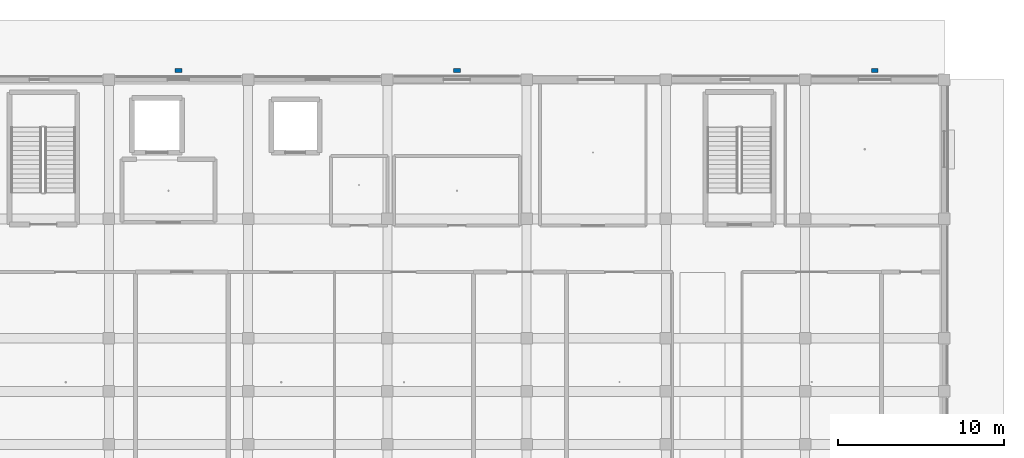
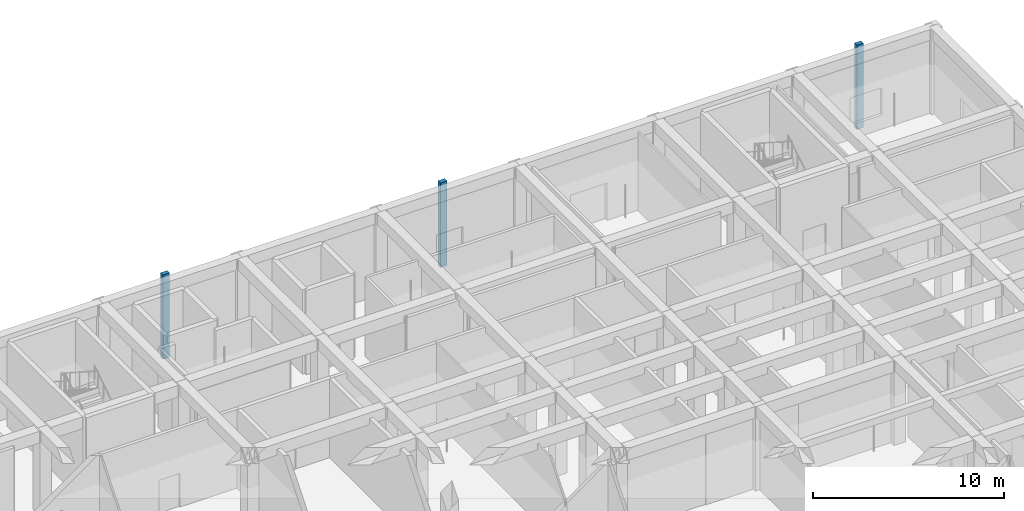
# One storey, part 8 of 167: 3 columns.
"""IFC4 building model written with IfcOpenShell, lengths in metres."""

import ifcopenshell
import ifcopenshell.guid

model = None  # the IFC model being written
_history = None  # IfcOwnerHistory: only IFC2X3 demands one
_inside = {}  # id of a spatial element -> (the spatial element, [elements in it])
_under = {}  # id of a project, library or spatial element -> (it, [spatial elements below it])
_declared = {}  # id of a project -> (the project, [libraries it declares])
_typed = {}  # id of a type object -> (the type object, [elements of that type])
_made_of = {}  # id of a material, layer set ... -> (it, [elements and type objects made of it])


def new_model(schema):
    """Start an empty IFC model of exactly this schema.

    Asked for "IFC4X3", IfcOpenShell would pick the latest addendum, in which some entities
    have other attributes; the version numbers below select the first issue.
    IFC2X3 requires an IfcOwnerHistory on every rooted entity: one is made here for all.
    """
    global model, _history
    if schema == "IFC4X3":
        model = ifcopenshell.file(schema_version=(4, 3, 0, 0))
    else:
        model = ifcopenshell.file(schema=schema)
    _inside.clear()
    _under.clear()
    _declared.clear()
    _typed.clear()
    _made_of.clear()
    _history = None
    if model.schema == "IFC2X3":
        org = make("IfcOrganization", Name="unknown")
        user = make(
            "IfcPersonAndOrganization",
            ThePerson=make("IfcPerson", FamilyName="unknown"),
            TheOrganization=org,
        )
        app = make(
            "IfcApplication",
            ApplicationDeveloper=org,
            Version="unknown",
            ApplicationFullName="unknown",
            ApplicationIdentifier="unknown",
        )
        _history = make(
            "IfcOwnerHistory",
            OwningUser=user,
            OwningApplication=app,
            ChangeAction="ADDED",
            CreationDate=0,
        )
    return model


def make(cls, **values):
    """One entity of the class cls with the attributes given. An attribute that is None is left unset."""
    return model.create_entity(
        cls, **{name: value for name, value in values.items() if value is not None}
    )


def rooted(cls, **values):
    """An entity with a GlobalId (a new one), such as an element, a storey or a relation."""
    return make(cls, GlobalId=ifcopenshell.guid.new(), OwnerHistory=_history, **values)


def si_unit(unit_type, name, prefix=None):
    """IfcSIUnit, for example si_unit("LENGTHUNIT", "METRE", prefix="MILLI")."""
    return make("IfcSIUnit", UnitType=unit_type, Prefix=prefix, Name=name)


def assignment(units):
    """IfcUnitAssignment: the units of a project."""
    return None if units is None else make("IfcUnitAssignment", Units=units)


def point(xyz):
    """IfcCartesianPoint."""
    return None if xyz is None else make("IfcCartesianPoint", Coordinates=xyz)


def direction(xyz):
    """IfcDirection."""
    return None if xyz is None else make("IfcDirection", DirectionRatios=xyz)


def frame(location, z_axis=None, x_axis=None):
    """IfcAxis2Placement3D, a coordinate frame: its origin and axes. An axis left out is left unset."""
    return make(
        "IfcAxis2Placement3D",
        Location=point(location),
        Axis=direction(z_axis),
        RefDirection=direction(x_axis),
    )


def frame_2d(location, x_axis=None):
    """IfcAxis2Placement2D, a coordinate frame in the plane: its origin and x axis."""
    return make(
        "IfcAxis2Placement2D", Location=point(location), RefDirection=direction(x_axis)
    )


def origin():
    """The frame at (0, 0, 0) with its axes left unset."""
    return frame((0.0, 0.0, 0.0))


def origin_2d():
    """The frame at (0, 0) in the plane with its x axis left unset."""
    return frame_2d((0.0, 0.0))


def place(relative_to, where):
    """IfcLocalPlacement: puts the frame where relative to a parent placement (None: the world)."""
    return make(
        "IfcLocalPlacement", PlacementRelTo=relative_to, RelativePlacement=where
    )


def context(
    kind, dimensions, precision=None, world=None, true_north=None, identifier=None
):
    """IfcGeometricRepresentationContext, for example the 3D "Model" context."""
    return make(
        "IfcGeometricRepresentationContext",
        ContextIdentifier=identifier,
        ContextType=kind,
        CoordinateSpaceDimension=dimensions,
        Precision=precision,
        WorldCoordinateSystem=world,
        TrueNorth=true_north,
    )


def subcontext(parent, identifier, kind, view, scale=None):
    """IfcGeometricRepresentationSubContext, for example "Body" below "Model"."""
    return make(
        "IfcGeometricRepresentationSubContext",
        ContextIdentifier=identifier,
        ContextType=kind,
        ParentContext=parent,
        TargetScale=scale,
        TargetView=view,
    )


def project(units=None, contexts=None):
    """IfcProject with its units and contexts."""
    return rooted(
        "IfcProject",
        Name="project",
        RepresentationContexts=contexts,
        UnitsInContext=assignment(units),
    )


def spatial(cls, under=None, at=None, **own):
    """A site, building, storey or space (cls), placed at a placement, below another one or the project."""
    s = rooted(cls, ObjectPlacement=at, **own)
    if under is not None:
        _under.setdefault(under.id(), (under, []))[1].append(s)
    return s


def profile(cls, at=None, kind="AREA", **sizes):
    """A parametric profile (cls). Its sizes go by their IFC names, for example OverallWidth=200.0."""
    return make(cls, ProfileType=kind, Position=at, **sizes)


def rectangle(**sizes):
    """IfcRectangleProfileDef."""
    return profile("IfcRectangleProfileDef", **sizes)


def extrude(swept, where, along, depth):
    """IfcExtrudedAreaSolid: the profile swept, set in the frame where, extruded along a direction by depth."""
    return make(
        "IfcExtrudedAreaSolid",
        SweptArea=swept,
        Position=where,
        ExtrudedDirection=direction(along),
        Depth=depth,
    )


def shape(context_of_items, identifier, shape_type, items):
    """IfcShapeRepresentation: the items that make up one representation, for example the "Body"."""
    return make(
        "IfcShapeRepresentation",
        ContextOfItems=context_of_items,
        RepresentationIdentifier=identifier,
        RepresentationType=shape_type,
        Items=items,
    )


def material(Name=None, Category=None):
    """IfcMaterial."""
    return make("IfcMaterial", Name=Name, Category=Category)


def material_profile(
    of_material, cross_section, Name=None, Category=None, Priority=None
):
    """IfcMaterialProfile: a cross section and its material."""
    return make(
        "IfcMaterialProfile",
        Name=Name,
        Material=of_material,
        Profile=cross_section,
        Priority=Priority,
        Category=Category,
    )


def profile_set(profiles, Name=None, composite=None):
    """IfcMaterialProfileSet."""
    return make(
        "IfcMaterialProfileSet",
        Name=Name,
        MaterialProfiles=profiles,
        CompositeProfile=composite,
    )


def made_of(thing, what):
    """Note that an element or type object is made of a material, layer set ...; save() writes the relation."""
    if what is not None:
        _made_of.setdefault(what.id(), (what, []))[1].append(thing)
    return thing


def type_object(cls, material=None, **own):
    """A type object (cls), such as IfcWallType, which elements share."""
    return made_of(rooted(cls, **own), material)


def element(
    cls,
    number,
    at=None,
    inside=None,
    cuts=None,
    type_object=None,
    material=None,
    context=None,
    identifier="Body",
    shape_type=None,
    held_by="IfcProductDefinitionShape",
    body=None,
    shapes=None,
    **own,
):
    """One element of the class cls, such as IfcWall. Its Tag is "e" and its number.

    at: its placement. inside: the storey or other place that contains it. cuts: it is an
    opening in that element (IfcRelVoidsElement). A single representation is given by context,
    identifier, shape_type and body (its items); several are given by shapes. held_by: the class
    of the entity that holds the representations. save() writes the other relations.
    """
    e = rooted(cls, Tag="e%d" % number, ObjectPlacement=at, **own)
    if body is not None:
        shapes = [shape(context, identifier, shape_type, body)]
    if shapes is not None:
        e.Representation = make(held_by, Representations=shapes)
    if inside is not None:
        _inside.setdefault(inside.id(), (inside, []))[1].append(e)
    if cuts is not None:
        rooted(
            "IfcRelVoidsElement", RelatingBuildingElement=cuts, RelatedOpeningElement=e
        )
    if type_object is not None:
        _typed.setdefault(type_object.id(), (type_object, []))[1].append(e)
    return made_of(e, material)


def aggregate(whole, parts):
    """IfcRelAggregates: a whole, such as a stair, and the parts it consists of."""
    return rooted("IfcRelAggregates", RelatingObject=whole, RelatedObjects=parts)


def save(model, path):
    """Write the relations noted so far, then the file.

    IfcRelAggregates (storeys below a building ...), IfcRelContainedInSpatialStructure (elements
    in a storey), IfcRelDefinesByType, IfcRelAssociatesMaterial and IfcRelDeclares: one each for
    every whole, place, type object, material and project.
    """
    for whole, parts in _under.values():
        aggregate(whole, parts)
    for where, things in _inside.values():
        rooted(
            "IfcRelContainedInSpatialStructure",
            RelatedElements=things,
            RelatingStructure=where,
        )
    for kind, things in _typed.values():
        rooted("IfcRelDefinesByType", RelatedObjects=things, RelatingType=kind)
    for what, things in _made_of.values():
        rooted("IfcRelAssociatesMaterial", RelatedObjects=things, RelatingMaterial=what)
    for by, libraries in _declared.values():
        rooted("IfcRelDeclares", RelatingContext=by, RelatedDefinitions=libraries)
    model.write(path)


model = new_model("IFC4")

# Units and contexts
model_context = context("Model", 3, precision=1e-05, world=origin(), true_north=direction((0.0, 1.0)))
body_context = subcontext(model_context, "Body", "Model", "MODEL_VIEW")
ifc_project = project(units=[si_unit("LENGTHUNIT", "METRE"), si_unit("AREAUNIT", "SQUARE_METRE"), si_unit("VOLUMEUNIT", "CUBIC_METRE"), si_unit("PLANEANGLEUNIT", "RADIAN"), si_unit("MASSUNIT", "GRAM", prefix="KILO")], contexts=[model_context])

# Site, building, storey
site_placement = place(None, origin())
site = spatial("IfcSite", under=ifc_project, at=site_placement, CompositionType="ELEMENT")
building_placement = place(site_placement, origin())
building = spatial("IfcBuilding", under=site, at=building_placement, Name="Varncliffe General Hospital", CompositionType="ELEMENT")
storey_placement = place(building_placement, origin())
storey = spatial("IfcBuildingStorey", under=building, at=storey_placement, Name="L00", CompositionType="ELEMENT", Elevation=0.0)

# Columns
ifc_material = material(Name="Precast concrete C40/50", Category="concrete")
ifc_material_profile = material_profile(ifc_material, rectangle(XDim=0.39990234375, YDim=0.25, at=origin_2d()), Name="PIL 400x250")
ifc_profile_set = profile_set([ifc_material_profile], Name="Precast concrete C40/50")
column_type = type_object("IfcColumnType", Name="Pilaster PL17 (PIL 400x250)", PredefinedType="PILASTER", material=ifc_profile_set)
for number, where, z_axis, x_axis, name in (
    (1, (130.199951171875, 125.35009765625, 0.0), (0.0, 0.0, 1.0), (1.0, 0.0, 0.0), "L00 Facade Pilaster PL17-15"),
    (2, (147.0, 125.35009765625, 0.0), (0.0, 0.0, 1.0), (1.0, 0.0, 0.0), "L00 Facade Pilaster PL17-16"),
    (3, (172.199951171875, 125.35009765625, 0.0), (0.0, 0.0, 1.0), (1.0, 0.0, 0.0), "L00 Facade Pilaster PL17-17"),
):
    element("IfcColumn", number, at=place(storey_placement, frame(where, z_axis=z_axis, x_axis=x_axis)), inside=storey, type_object=column_type, Name=name, PredefinedType="PILASTER", context=body_context, shape_type="SweptSolid", body=[
        extrude(rectangle(XDim=0.39990234375, YDim=0.25, at=origin_2d()), origin(), (0.0, 0.0, 1.0), 5.39990234375),
    ])

save(model, "model.ifc")
